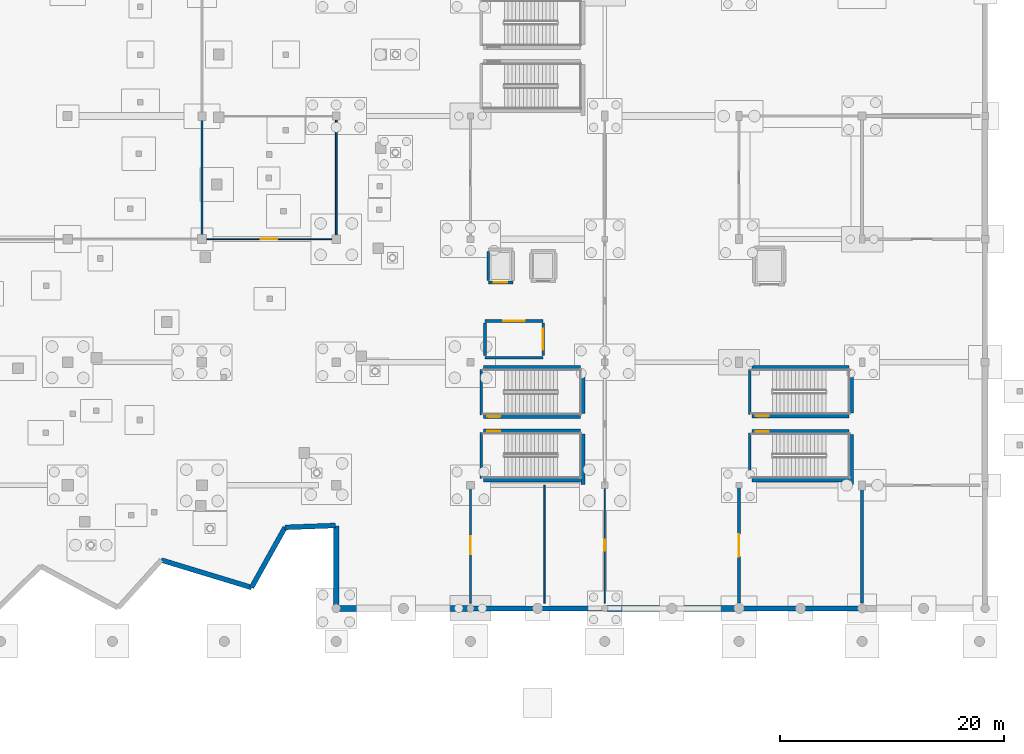
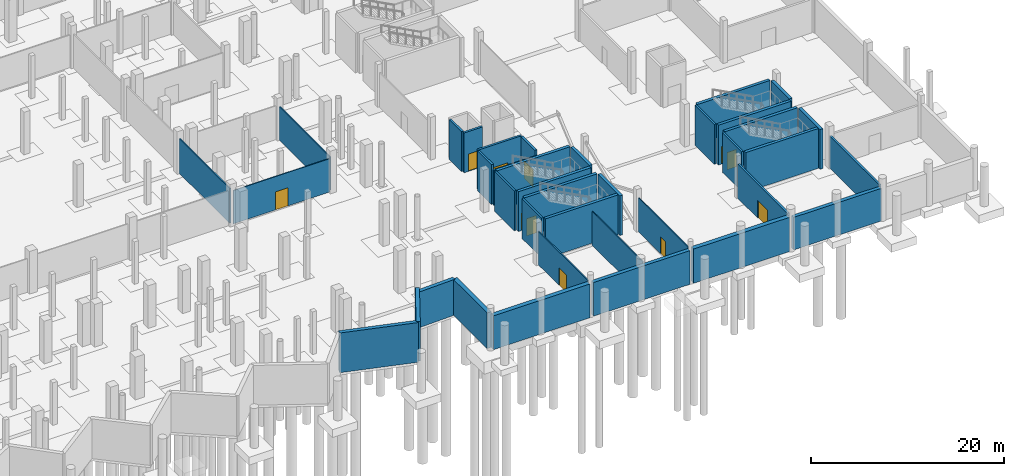
# One storey, part 36 of 60: 38 walls, 11 doors, 11 openings.
"""IFC4 building model written with IfcOpenShell, lengths in metres."""

from ifc_helpers import new_model, si_unit, direction, frame, frame_2d, origin, place, context, subcontext, project, spatial, rectangle, extrude, material, layer, layer_set, type_object, element, fill, save


model = new_model("IFC4")

# Units and contexts
model_context = context("Model", 3, precision=1e-05, world=origin(), true_north=direction((0.0, 1.0)))
body_context = subcontext(model_context, "Body", "Model", "MODEL_VIEW")
ifc_project = project(units=[si_unit("LENGTHUNIT", "METRE"), si_unit("AREAUNIT", "SQUARE_METRE"), si_unit("VOLUMEUNIT", "CUBIC_METRE"), si_unit("PLANEANGLEUNIT", "RADIAN"), si_unit("MASSUNIT", "GRAM", prefix="KILO")], contexts=[model_context])

# Site, building, storey
site_placement = place(None, origin())
site = spatial("IfcSite", under=ifc_project, at=site_placement, CompositionType="ELEMENT")
building_placement = place(site_placement, origin())
building = spatial("IfcBuilding", under=site, at=building_placement, Name="Luwafu Chhajja Arena", CompositionType="ELEMENT")
storey_placement = place(building_placement, frame((0.0, 0.0, -5.39990234375)))
storey = spatial("IfcBuildingStorey", under=building, at=storey_placement, Name="B1", CompositionType="ELEMENT", Elevation=-5.39990234375)

# Wall, opening, door
ifc_material_1 = material(Name="Concrete blockwork masonry", Category="masonry")
ifc_layer_1 = layer(ifc_material_1, 0.239990234375, Name="Concrete blockwork masonry")
ifc_layer_set_1 = layer_set([ifc_layer_1], Name="Concrete blockwork masonry")
wall_type_1 = type_object("IfcWallType", Name="Compartment Masonry Partition 240", PredefinedType="PARTITIONING", material=ifc_layer_set_1)
wall_1_placement = place(storey_placement, frame((176.0, 0.47998046875, 0.0), z_axis=(0.0, 0.0, 1.0), x_axis=(0.0, 1.0, 0.0)))
wall_1 = element("IfcWall", 1, at=wall_1_placement, inside=storey, type_object=wall_type_1, Name="B1 Internal Partition 0083", PredefinedType="PARTITIONING", context=body_context, shape_type="SweptSolid", body=[
    extrude(rectangle(XDim=10.31005859375, YDim=0.239990234375, at=frame_2d((5.155029296875, 0.0))), origin(), (0.0, 0.0, 1.0), 4.329833984375),
])
opening_1_placement = place(wall_1_placement, frame((4.155029296875, 0.0, 0.0)))
opening_1 = element("IfcOpeningElement", 2, at=opening_1_placement, cuts=wall_1, Name="Opening DR-08", PredefinedType="OPENING", context=body_context, shape_type="SweptSolid", body=[
    extrude(rectangle(XDim=2.0, YDim=2.25, at=frame_2d((1.0, 1.125))), frame((0.0, 0.1298828125, 0.0), z_axis=(0.0, -1.0, 0.0), x_axis=(1.0, 0.0, 0.0)), (0.0, 0.0, 1.0), 0.260009765625),
])
ifc_material_2 = material(Name="Fire-rated hardwood double leaf", Category="wood")
door_type_1 = type_object("IfcDoorType", Name="DR-08", OperationType="DOUBLE_DOOR_SINGLE_SWING", PredefinedType="DOOR", material=ifc_material_2)
door_1_placement = place(opening_1_placement, origin())
door_1 = element("IfcDoor", 3, at=door_1_placement, inside=storey, type_object=door_type_1, Name="B1 Interior Door B1-D065", OperationType="DOUBLE_DOOR_SINGLE_SWING", OverallHeight=2.25, OverallWidth=2.0, PredefinedType="DOOR", context=body_context, shape_type="SweptSolid", body=[
    extrude(rectangle(XDim=2.0, YDim=2.25, at=frame_2d((1.0, 1.125))), frame((0.0, 0.02490234375, 0.0), z_axis=(0.0, -1.0, 0.0), x_axis=(1.0, 0.0, 0.0)), (0.0, 0.0, 1.0), 0.050048828125),
])
fill(opening_1, door_1)

# Walls
wall_2_placement = place(storey_placement, frame((187.0, 0.47998046875, 0.0), z_axis=(0.0, 0.0, 1.0), x_axis=(0.0, 1.0, 0.0)))
element("IfcWall", 4, at=wall_2_placement, inside=storey, type_object=wall_type_1, Name="B1 Internal Partition 0133", PredefinedType="PARTITIONING", context=body_context, shape_type="SweptSolid", body=[
    extrude(rectangle(XDim=10.300048828125, YDim=0.239990234375, at=frame_2d((5.14990234375, 0.0))), origin(), (0.0, 0.0, 1.0), 4.079833984375),
])
ifc_material_3 = material(Name="Lightweight blockwork partition", Category="masonry")
ifc_layer_2 = layer(ifc_material_3, 0.139892578125, Name="Lightweight blockwork partition")
ifc_layer_set_2 = layer_set([ifc_layer_2], Name="Lightweight blockwork partition")
wall_type_2 = type_object("IfcWallType", Name="Concourse Kiosk Partition 140", PredefinedType="PARTITIONING", material=ifc_layer_set_2)
wall_3_placement = place(storey_placement, frame((140.0, 33.219970703125, 0.0), z_axis=(0.0, 0.0, 1.0), x_axis=(0.0, 1.0, 0.0)))
element("IfcWall", 5, at=wall_3_placement, inside=storey, type_object=wall_type_2, Name="B1 Internal Partition 0064", PredefinedType="PARTITIONING", context=body_context, shape_type="SweptSolid", body=[
    extrude(rectangle(XDim=10.56005859375, YDim=0.139892578125, at=frame_2d((5.280029296875, 0.0))), origin(), (0.0, 0.0, 1.0), 4.22998046875),
])

# Wall, opening, door
wall_4_placement = place(storey_placement, frame((152.0, 0.47998046875, 0.0), z_axis=(0.0, 0.0, 1.0), x_axis=(0.0, 1.0, 0.0)))
wall_4 = element("IfcWall", 6, at=wall_4_placement, inside=storey, type_object=wall_type_2, Name="B1 Internal Partition 0074", PredefinedType="PARTITIONING", context=body_context, shape_type="SweptSolid", body=[
    extrude(rectangle(XDim=10.300048828125, YDim=0.139892578125, at=frame_2d((5.14990234375, 0.0))), origin(), (0.0, 0.0, 1.0), 4.22998046875),
])
opening_2_placement = place(wall_4_placement, frame((4.340087890625, 0.0, 0.0)))
opening_2 = element("IfcOpeningElement", 7, at=opening_2_placement, cuts=wall_4, Name="Opening DR-23", PredefinedType="OPENING", context=body_context, shape_type="SweptSolid", body=[
    extrude(rectangle(XDim=1.6201171875, YDim=2.25, at=frame_2d((0.81005859375, 1.125))), frame((0.0, 0.079833984375, 0.0), z_axis=(0.0, -1.0, 0.0), x_axis=(1.0, 0.0, 0.0)), (0.0, 0.0, 1.0), 0.159912109375),
])
ifc_material_4 = material(Name="Hardwood flush glazed double door", Category="wood")
door_type_2 = type_object("IfcDoorType", Name="DR-23", OperationType="DOUBLE_DOOR_SINGLE_SWING", PredefinedType="DOOR", material=ifc_material_4)
door_2_placement = place(opening_2_placement, origin())
door_2 = element("IfcDoor", 8, at=door_2_placement, inside=storey, type_object=door_type_2, Name="B1 Interior Door B1-D060", OperationType="DOUBLE_DOOR_SINGLE_SWING", OverallHeight=2.25, OverallWidth=1.6201171875, PredefinedType="DOOR", context=body_context, shape_type="SweptSolid", body=[
    extrude(rectangle(XDim=1.6201171875, YDim=2.25, at=frame_2d((0.81005859375, 1.125))), frame((0.0, 0.02490234375, 0.0), z_axis=(0.0, -1.0, 0.0), x_axis=(1.0, 0.0, 0.0)), (0.0, 0.0, 1.0), 0.050048828125),
])
fill(opening_2, door_2)

# Wall
wall_5_placement = place(storey_placement, frame((128.0, 33.219970703125, 0.0), z_axis=(0.0, 0.0, 1.0), x_axis=(0.0, 1.0, 0.0)))
element("IfcWall", 9, at=wall_5_placement, inside=storey, type_object=wall_type_2, Name="B1 Internal Partition 0100", PredefinedType="PARTITIONING", context=body_context, shape_type="SweptSolid", body=[
    extrude(rectangle(XDim=10.56005859375, YDim=0.139892578125, at=frame_2d((5.280029296875, 0.0))), origin(), (0.0, 0.0, 1.0), 4.40966796875),
])

# Wall, opening, door
ifc_material_5 = material(Name="Gypsum plasterboard partition")
ifc_layer_3 = layer(ifc_material_5, 0.10009765625, Name="Gypsum plasterboard partition")
ifc_layer_set_3 = layer_set([ifc_layer_3], Name="Gypsum plasterboard partition")
wall_type_3 = type_object("IfcWallType", Name="Drywall Lining Partition 100", PredefinedType="PARTITIONING", material=ifc_layer_set_3)
wall_6_placement = place(storey_placement, frame((128.219970703125, 33.0, 0.0), z_axis=(0.0, 0.0, 1.0), x_axis=(1.0, 0.0, 0.0)))
wall_6 = element("IfcWall", 10, at=wall_6_placement, inside=storey, type_object=wall_type_3, Name="B1 Internal Partition 0062", PredefinedType="PARTITIONING", context=body_context, shape_type="SweptSolid", body=[
    extrude(rectangle(XDim=11.56005859375, YDim=0.10009765625, at=frame_2d((5.780029296875, 0.0))), origin(), (0.0, 0.0, 1.0), 4.22998046875),
])
opening_3_placement = place(wall_6_placement, frame((5.030029296875, 0.0, 0.0)))
opening_3 = element("IfcOpeningElement", 11, at=opening_3_placement, cuts=wall_6, Name="Opening DR-30", PredefinedType="OPENING", context=body_context, shape_type="SweptSolid", body=[
    extrude(rectangle(XDim=1.5, YDim=2.300048828125, at=frame_2d((0.75, 1.14990234375))), frame((0.0, 0.06005859375, 0.0), z_axis=(0.0, -1.0, 0.0), x_axis=(1.0, 0.0, 0.0)), (0.0, 0.0, 1.0), 0.1201171875),
])
ifc_material_6 = material(Name="Anodised bronze glazed double door")
door_type_3 = type_object("IfcDoorType", Name="DR-30", OperationType="DOUBLE_DOOR_SINGLE_SWING", PredefinedType="DOOR", material=ifc_material_6)
door_3_placement = place(opening_3_placement, origin())
door_3 = element("IfcDoor", 12, at=door_3_placement, inside=storey, type_object=door_type_3, Name="B1 Interior Door B1-D055", OperationType="DOUBLE_DOOR_SINGLE_SWING", OverallHeight=2.300048828125, OverallWidth=1.5, PredefinedType="DOOR", context=body_context, shape_type="SweptSolid", body=[
    extrude(rectangle(XDim=1.5, YDim=2.300048828125, at=frame_2d((0.75, 1.14990234375))), frame((0.0, 0.02490234375, 0.0), z_axis=(0.0, -1.0, 0.0), x_axis=(1.0, 0.0, 0.0)), (0.0, 0.0, 1.0), 0.050048828125),
])
fill(opening_3, door_3)

ifc_material_7 = material(Name="Concrete C40/50", Category="concrete")
ifc_layer_4 = layer(ifc_material_7, 0.260009765625, Name="Concrete C40/50")
ifc_layer_set_4 = layer_set([ifc_layer_4], Name="Concrete C40/50")
wall_type_4 = type_object("IfcWallType", Name="Firefighting Lobby Wall 260", PredefinedType="SOLIDWALL", material=ifc_layer_set_4)
wall_7_placement = place(storey_placement, frame((153.300048828125, 25.699951171875, 0.0), z_axis=(0.0, 0.0, 1.0), x_axis=(1.0, 0.0, 0.0)))
wall_7 = element("IfcWall", 13, at=wall_7_placement, inside=storey, type_object=wall_type_4, Name="B1 Core C2 Firefighting Lobby Wall N", PredefinedType="SOLIDWALL", context=body_context, shape_type="SweptSolid", body=[
    extrude(rectangle(XDim=5.199951171875, YDim=0.260009765625, at=frame_2d((2.60009765625, 0.0))), origin(), (0.0, 0.0, 1.0), 5.039794921875),
])
opening_4_placement = place(wall_7_placement, frame((1.64990234375, 0.0, 0.0)))
opening_4 = element("IfcOpeningElement", 14, at=opening_4_placement, cuts=wall_7, Name="Opening DR-07", PredefinedType="OPENING", context=body_context, shape_type="SweptSolid", body=[
    extrude(rectangle(XDim=1.89990234375, YDim=2.199951171875, at=frame_2d((0.949951171875, 1.10009765625))), frame((0.0, 0.139892578125, 0.0), z_axis=(0.0, -1.0, 0.0), x_axis=(1.0, 0.0, 0.0)), (0.0, 0.0, 1.0), 0.280029296875),
])
ifc_material_8 = material(Name="Fire-rated hardwood and vision panel", Category="wood")
door_type_4 = type_object("IfcDoorType", Name="DR-07", OperationType="DOUBLE_DOOR_SINGLE_SWING", PredefinedType="DOOR", material=ifc_material_8)
door_4_placement = place(opening_4_placement, origin())
door_4 = element("IfcDoor", 15, at=door_4_placement, inside=storey, type_object=door_type_4, Name="B1 Firefighting Lobby C2 Door B1-D007", OperationType="DOUBLE_DOOR_SINGLE_SWING", OverallHeight=2.199951171875, OverallWidth=1.89990234375, PredefinedType="DOOR", context=body_context, shape_type="SweptSolid", body=[
    extrude(rectangle(XDim=1.89990234375, YDim=2.199951171875, at=frame_2d((0.949951171875, 1.10009765625))), frame((0.0, 0.02490234375, 0.0), z_axis=(0.0, -1.0, 0.0), x_axis=(1.0, 0.0, 0.0)), (0.0, 0.0, 1.0), 0.050048828125),
])
fill(opening_4, door_4)

# Walls
wall_8_placement = place(storey_placement, frame((153.300048828125, 22.39990234375, 0.0), z_axis=(0.0, 0.0, 1.0), x_axis=(1.0, 0.0, 0.0)))
element("IfcWall", 16, at=wall_8_placement, inside=storey, type_object=wall_type_4, Name="B1 Core C2 Firefighting Lobby Wall S", PredefinedType="SOLIDWALL", context=body_context, shape_type="SweptSolid", body=[
    extrude(rectangle(XDim=5.199951171875, YDim=0.260009765625, at=frame_2d((2.60009765625, 0.0))), origin(), (0.0, 0.0, 1.0), 4.429931640625),
])
wall_9_placement = place(storey_placement, frame((153.300048828125, 22.60009765625, 0.0), z_axis=(0.0, 0.0, 1.0), x_axis=(0.0, 1.0, 0.0)))
element("IfcWall", 17, at=wall_9_placement, inside=storey, type_object=wall_type_4, Name="B1 Core C2 Firefighting Lobby Wall W", PredefinedType="SOLIDWALL", context=body_context, shape_type="SweptSolid", body=[
    extrude(rectangle(XDim=2.89990234375, YDim=0.260009765625, at=frame_2d((1.449951171875, 0.0))), origin(), (0.0, 0.0, 1.0), 5.039794921875),
])

# Wall, opening, door
wall_10_placement = place(storey_placement, frame((158.5, 22.60009765625, 0.0), z_axis=(0.0, 0.0, 1.0), x_axis=(0.0, 1.0, 0.0)))
wall_10 = element("IfcWall", 18, at=wall_10_placement, inside=storey, type_object=wall_type_4, Name="B1 Core C2 Firefighting Lobby Wall E", PredefinedType="SOLIDWALL", context=body_context, shape_type="SweptSolid", body=[
    extrude(rectangle(XDim=2.89990234375, YDim=0.260009765625, at=frame_2d((1.449951171875, 0.0))), origin(), (0.0, 0.0, 1.0), 5.039794921875),
])
opening_5_placement = place(wall_10_placement, frame((0.5, 0.0, 0.0)))
opening_5 = element("IfcOpeningElement", 19, at=opening_5_placement, cuts=wall_10, Name="Opening DR-07", PredefinedType="OPENING", context=body_context, shape_type="SweptSolid", body=[
    extrude(rectangle(XDim=1.89990234375, YDim=2.199951171875, at=frame_2d((0.949951171875, 1.10009765625))), frame((0.0, 0.139892578125, 0.0), z_axis=(0.0, -1.0, 0.0), x_axis=(1.0, 0.0, 0.0)), (0.0, 0.0, 1.0), 0.280029296875),
])
door_5_placement = place(opening_5_placement, origin())
door_5 = element("IfcDoor", 20, at=door_5_placement, inside=storey, type_object=door_type_4, Name="B1 Firefighting Lobby C2 Door B1-D008", OperationType="DOUBLE_DOOR_SINGLE_SWING", OverallHeight=2.199951171875, OverallWidth=1.89990234375, PredefinedType="DOOR", context=body_context, shape_type="SweptSolid", body=[
    extrude(rectangle(XDim=1.89990234375, YDim=2.199951171875, at=frame_2d((0.949951171875, 1.10009765625))), frame((0.0, 0.02490234375, 0.0), z_axis=(0.0, -1.0, 0.0), x_axis=(1.0, 0.0, 0.0)), (0.0, 0.0, 1.0), 0.050048828125),
])
fill(opening_5, door_5)

ifc_material_9 = material(Name="Acoustic metal-stud gypsum board")
ifc_layer_5 = layer(ifc_material_9, 0.1201171875, Name="Acoustic metal-stud gypsum board")
ifc_layer_set_5 = layer_set([ifc_layer_5], Name="Acoustic metal-stud gypsum board")
wall_type_5 = type_object("IfcWallType", Name="Internal Room Partition 120", PredefinedType="PARTITIONING", material=ifc_layer_set_5)
wall_11_placement = place(storey_placement, frame((164.0, 0.47998046875, 0.0), z_axis=(0.0, 0.0, 1.0), x_axis=(0.0, 1.0, 0.0)))
wall_11 = element("IfcWall", 21, at=wall_11_placement, inside=storey, type_object=wall_type_5, Name="B1 Internal Partition 0078", PredefinedType="PARTITIONING", context=body_context, shape_type="SweptSolid", body=[
    extrude(rectangle(XDim=10.300048828125, YDim=0.1201171875, at=frame_2d((5.14990234375, 0.0))), origin(), (0.0, 0.0, 1.0), 4.27978515625),
])
opening_6_placement = place(wall_11_placement, frame((4.659912109375, 0.0, 0.0)))
opening_6 = element("IfcOpeningElement", 22, at=opening_6_placement, cuts=wall_11, Name="Opening DR-27", PredefinedType="OPENING", context=body_context, shape_type="SweptSolid", body=[
    extrude(rectangle(XDim=0.97998046875, YDim=2.10009765625, at=frame_2d((0.489990234375, 1.050048828125))), frame((0.0, 0.070068359375, 0.0), z_axis=(0.0, -1.0, 0.0), x_axis=(1.0, 0.0, 0.0)), (0.0, 0.0, 1.0), 0.14013671875),
])
ifc_material_10 = material(Name="Moisture-resistant laminate leaf")
door_type_5 = type_object("IfcDoorType", Name="DR-27", OperationType="NOTDEFINED", PredefinedType="DOOR", material=ifc_material_10)
door_6_placement = place(opening_6_placement, origin())
door_6 = element("IfcDoor", 23, at=door_6_placement, inside=storey, type_object=door_type_5, Name="B1 Interior Door B1-D064", OperationType="SINGLE_SWING_RIGHT", OverallHeight=2.10009765625, OverallWidth=0.97998046875, PredefinedType="DOOR", context=body_context, shape_type="SweptSolid", body=[
    extrude(rectangle(XDim=0.97998046875, YDim=2.10009765625, at=frame_2d((0.489990234375, 1.050048828125))), frame((0.0, 0.02490234375, 0.0), z_axis=(0.0, -1.0, 0.0), x_axis=(1.0, 0.0, 0.0)), (0.0, 0.0, 1.0), 0.050048828125),
])
fill(opening_6, door_6)

# Wall
wall_12_placement = place(storey_placement, frame((158.60009765625, 0.47998046875, 0.0), z_axis=(0.0, 0.0, 1.0), x_axis=(0.0, 1.0, 0.0)))
element("IfcWall", 24, at=wall_12_placement, inside=storey, type_object=wall_type_5, Name="B1 Internal Partition 0131", PredefinedType="PARTITIONING", context=body_context, shape_type="SweptSolid", body=[
    extrude(rectangle(XDim=10.52001953125, YDim=0.1201171875, at=frame_2d((5.260009765625, 0.0))), origin(), (0.0, 0.0, 1.0), 4.27978515625),
])

# Wall, opening, door
ifc_material_11 = material(Name="Concrete C35/45", Category="concrete")
ifc_layer_6 = layer(ifc_material_11, 0.260009765625, Name="Concrete C35/45")
ifc_layer_set_6 = layer_set([ifc_layer_6], Name="Concrete C35/45")
wall_type_6 = type_object("IfcWallType", Name="Lift and Riser Shaft Wall 260", PredefinedType="SOLIDWALL", material=ifc_layer_set_6)
wall_13_placement = place(storey_placement, frame((153.590087890625, 29.114990234375, 0.0), z_axis=(0.0, 0.0, 1.0), x_axis=(1.0, 0.0, 0.0)))
wall_13 = element("IfcWall", 25, at=wall_13_placement, inside=storey, type_object=wall_type_6, Name="B1 Lift LF-02 Shaft Wall S", PredefinedType="SOLIDWALL", context=body_context, shape_type="SweptSolid", body=[
    extrude(rectangle(XDim=2.219970703125, YDim=0.260009765625, at=frame_2d((1.10986328125, 0.0))), origin(), (0.0, 0.0, 1.0), 5.039794921875),
])
opening_7_placement = place(wall_13_placement, frame((0.510009765625, 0.0, 0.0)))
opening_7 = element("IfcOpeningElement", 26, at=opening_7_placement, cuts=wall_13, Name="Opening LD-02", PredefinedType="OPENING", context=body_context, shape_type="SweptSolid", body=[
    extrude(rectangle(XDim=1.199951171875, YDim=2.199951171875, at=frame_2d((0.60009765625, 1.10009765625))), frame((0.0, 0.139892578125, 0.0), z_axis=(0.0, -1.0, 0.0), x_axis=(1.0, 0.0, 0.0)), (0.0, 0.0, 1.0), 0.280029296875),
])
ifc_material_12 = material(Name="Brushed stainless steel sliding leaves", Category="steel")
door_type_6 = type_object("IfcDoorType", Name="LD-02", OperationType="SLIDING_TO_LEFT", PredefinedType="DOOR", material=ifc_material_12)
door_7_placement = place(opening_7_placement, origin())
door_7 = element("IfcDoor", 27, at=door_7_placement, inside=storey, type_object=door_type_6, Name="B1 Lift LF-02 Landing Door B1-LD03", OperationType="SLIDING_TO_LEFT", OverallHeight=2.199951171875, OverallWidth=1.199951171875, PredefinedType="DOOR", context=body_context, shape_type="SweptSolid", body=[
    extrude(rectangle(XDim=1.199951171875, YDim=2.199951171875, at=frame_2d((0.60009765625, 1.10009765625))), frame((0.0, 0.02490234375, 0.0), z_axis=(0.0, -1.0, 0.0), x_axis=(1.0, 0.0, 0.0)), (0.0, 0.0, 1.0), 0.050048828125),
])
fill(opening_7, door_7)

# Walls
wall_14_placement = place(storey_placement, frame((153.590087890625, 29.31494140625, 0.0), z_axis=(0.0, 0.0, 1.0), x_axis=(0.0, 1.0, 0.0)))
element("IfcWall", 28, at=wall_14_placement, inside=storey, type_object=wall_type_6, Name="B1 Lift LF-02 Shaft Wall W", PredefinedType="SOLIDWALL", context=body_context, shape_type="SweptSolid", body=[
    extrude(rectangle(XDim=2.570068359375, YDim=0.260009765625, at=frame_2d((1.28515625, 0.0))), origin(), (0.0, 0.0, 1.0), 5.039794921875),
])
ifc_layer_7 = layer(ifc_material_7, 0.43994140625, Name="Concrete C40/50")
ifc_layer_set_7 = layer_set([ifc_layer_7], Name="Concrete C40/50")
wall_type_7 = type_object("IfcWallType", Name="RC Basement Retaining Wall 440", PredefinedType="SOLIDWALL", material=ifc_layer_set_7)
wall_15_placement = place(storey_placement, frame((124.364013671875, 4.316162109375, 0.0), z_axis=(0.0, 0.0, 1.0), x_axis=(0.956738407321, -0.290949514446, 0.0)))
element("IfcWall", 29, at=wall_15_placement, inside=storey, type_object=wall_type_7, Name="B1 Pleated Bowl V-Fold Wall 54", PredefinedType="SOLIDWALL", context=body_context, shape_type="SweptSolid", body=[
    extrude(rectangle(XDim=8.427978515625, YDim=0.43994140625, at=frame_2d((4.2138671875, 0.0))), origin(), (0.0, 0.0, 1.0), 5.034912109375),
])
wall_16_placement = place(storey_placement, frame((132.427490234375, 1.864013671875, 0.0), z_axis=(0.0, 0.0, 1.0), x_axis=(0.487306352228, 0.87323108, 0.0)))
element("IfcWall", 30, at=wall_16_placement, inside=storey, type_object=wall_type_7, Name="B1 Pleated Bowl V-Fold Wall 55", PredefinedType="SOLIDWALL", context=body_context, shape_type="SweptSolid", body=[
    extrude(rectangle(XDim=6.15283203125, YDim=0.43994140625, at=frame_2d((3.076416015625, 0.0))), origin(), (0.0, 0.0, 1.0), 5.034912109375),
])
wall_17_placement = place(storey_placement, frame((135.42578125, 7.23681640625, 0.0), z_axis=(0.0, 0.0, 1.0), x_axis=(0.999296191983, 0.037511607381, 0.0)))
element("IfcWall", 31, at=wall_17_placement, inside=storey, type_object=wall_type_7, Name="B1 Pleated Bowl V-Fold Wall 56", PredefinedType="SOLIDWALL", context=body_context, shape_type="SweptSolid", body=[
    extrude(rectangle(XDim=4.497314453125, YDim=0.43994140625, at=frame_2d((2.24853515625, 0.0))), origin(), (0.0, 0.0, 1.0), 4.52978515625),
])
wall_18_placement = place(storey_placement, frame((152.219970703125, 0.0, 0.0), z_axis=(0.0, 0.0, 1.0), x_axis=(1.0, 0.0, 0.0)))
element("IfcWall", 32, at=wall_18_placement, inside=storey, type_object=wall_type_7, Name="B1 Exterior Wall WEX-B1-034", PredefinedType="SOLIDWALL", context=body_context, shape_type="SweptSolid", body=[
    extrude(rectangle(XDim=11.56005859375, YDim=0.43994140625, at=frame_2d((5.780029296875, 0.0))), origin(), (0.0, 0.0, 1.0), 4.27978515625),
])
wall_19_placement = place(storey_placement, frame((176.219970703125, 0.0, 0.0), z_axis=(0.0, 0.0, 1.0), x_axis=(1.0, 0.0, 0.0)))
element("IfcWall", 33, at=wall_19_placement, inside=storey, type_object=wall_type_7, Name="B1 Exterior Wall WEX-B1-038", PredefinedType="SOLIDWALL", context=body_context, shape_type="SweptSolid", body=[
    extrude(rectangle(XDim=10.56005859375, YDim=0.43994140625, at=frame_2d((5.280029296875, 0.0))), origin(), (0.0, 0.0, 1.0), 4.1298828125),
])
ifc_layer_8 = layer(ifc_material_7, 0.52001953125, Name="Concrete C40/50")
ifc_layer_set_8 = layer_set([ifc_layer_8], Name="Concrete C40/50")
wall_type_8 = type_object("IfcWallType", Name="RC Basement Retaining Wall 520", PredefinedType="SOLIDWALL", material=ifc_layer_set_8)
wall_20_placement = place(storey_placement, frame((140.219970703125, 0.0, 0.0), z_axis=(0.0, 0.0, 1.0), x_axis=(1.0, 0.0, 0.0)))
element("IfcWall", 34, at=wall_20_placement, inside=storey, type_object=wall_type_8, Name="B1 Exterior Wall WEX-B1-031", PredefinedType="SOLIDWALL", context=body_context, shape_type="SweptSolid", body=[
    extrude(rectangle(XDim=11.56005859375, YDim=0.52001953125, at=frame_2d((5.780029296875, 0.0))), origin(), (0.0, 0.0, 1.0), 4.27978515625),
])
wall_21_placement = place(storey_placement, frame((140.0, 0.219970703125, 0.0), z_axis=(0.0, 0.0, 1.0), x_axis=(0.0, 1.0, 0.0)))
element("IfcWall", 35, at=wall_21_placement, inside=storey, type_object=wall_type_8, Name="B1 Exterior Wall WEX-B1-032", PredefinedType="SOLIDWALL", context=body_context, shape_type="SweptSolid", body=[
    extrude(rectangle(XDim=7.12841796875, YDim=0.52001953125, at=frame_2d((3.564208984375, 0.0))), origin(), (0.0, 0.0, 1.0), 4.52978515625),
])
wall_22_placement = place(storey_placement, frame((164.219970703125, 0.0, 0.0), z_axis=(0.0, 0.0, 1.0), x_axis=(1.0, 0.0, 0.0)))
element("IfcWall", 36, at=wall_22_placement, inside=storey, type_object=wall_type_8, Name="B1 Exterior Wall WEX-B1-036", PredefinedType="SOLIDWALL", context=body_context, shape_type="SweptSolid", body=[
    extrude(rectangle(XDim=11.56005859375, YDim=0.52001953125, at=frame_2d((5.780029296875, 0.0))), origin(), (0.0, 0.0, 1.0), 4.346435546875),
])
ifc_layer_9 = layer(ifc_material_7, 0.35009765625, Name="Concrete C40/50")
ifc_layer_set_9 = layer_set([ifc_layer_9], Name="Concrete C40/50")
wall_type_9 = type_object("IfcWallType", Name="RC Core Shear Wall 350", PredefinedType="SOLIDWALL", material=ifc_layer_set_9)
wall_23_placement = place(storey_placement, frame((162.072021484375, 11.050048828125, 0.0), z_axis=(0.0, 0.0, 1.0), x_axis=(0.0, 1.0, 0.0)))
element("IfcWall", 37, at=wall_23_placement, inside=storey, type_object=wall_type_9, Name="B1 Stair ST-03 Core Shear Wall E", PredefinedType="SOLIDWALL", context=body_context, shape_type="SweptSolid", body=[
    extrude(rectangle(XDim=4.5400390625, YDim=0.35009765625, at=frame_2d((2.27001953125, 0.0))), origin(), (0.0, 0.0, 1.0), 5.039794921875),
])
wall_24_placement = place(storey_placement, frame((153.14990234375, 11.47802734375, 0.0), z_axis=(0.0, 0.0, 1.0), x_axis=(1.0, 0.0, 0.0)))
element("IfcWall", 38, at=wall_24_placement, inside=storey, type_object=wall_type_9, Name="B1 Stair ST-03 Core Shear Wall S", PredefinedType="SOLIDWALL", context=body_context, shape_type="SweptSolid", body=[
    extrude(rectangle(XDim=8.7001953125, YDim=0.35009765625, at=frame_2d((4.35009765625, 0.0))), origin(), (0.0, 0.0, 1.0), 5.039794921875),
])

# Wall, opening, door
wall_25_placement = place(storey_placement, frame((153.14990234375, 15.862060546875, 0.0), z_axis=(0.0, 0.0, 1.0), x_axis=(1.0, 0.0, 0.0)))
wall_25 = element("IfcWall", 39, at=wall_25_placement, inside=storey, type_object=wall_type_9, Name="B1 Stair ST-03 Core Shear Wall N", PredefinedType="SOLIDWALL", context=body_context, shape_type="SweptSolid", body=[
    extrude(rectangle(XDim=8.7001953125, YDim=0.35009765625, at=frame_2d((4.35009765625, 0.0))), origin(), (0.0, 0.0, 1.0), 5.039794921875),
])
opening_8_placement = place(wall_25_placement, frame((0.35009765625, 0.0, 0.0)))
opening_8 = element("IfcOpeningElement", 40, at=opening_8_placement, cuts=wall_25, Name="Opening DR-06", PredefinedType="OPENING", context=body_context, shape_type="SweptSolid", body=[
    extrude(rectangle(XDim=1.14990234375, YDim=2.199951171875, at=frame_2d((0.574951171875, 1.10009765625))), frame((0.0, 0.18505859375, 0.0), z_axis=(0.0, -1.0, 0.0), x_axis=(1.0, 0.0, 0.0)), (0.0, 0.0, 1.0), 0.3701171875),
])
ifc_material_13 = material(Name="Fire-rated hardwood and steel core", Category="steel")
door_type_7 = type_object("IfcDoorType", Name="DR-06", OperationType="NOTDEFINED", PredefinedType="DOOR", material=ifc_material_13)
door_8_placement = place(opening_8_placement, origin())
door_8 = element("IfcDoor", 41, at=door_8_placement, inside=storey, type_object=door_type_7, Name="B1 Escape Stair ST-03 Fire Door B1-D005", OperationType="SINGLE_SWING_RIGHT", OverallHeight=2.199951171875, OverallWidth=1.14990234375, PredefinedType="DOOR", context=body_context, shape_type="SweptSolid", body=[
    extrude(rectangle(XDim=1.14990234375, YDim=2.199951171875, at=frame_2d((0.574951171875, 1.10009765625))), frame((0.0, 0.02490234375, 0.0), z_axis=(0.0, -1.0, 0.0), x_axis=(1.0, 0.0, 0.0)), (0.0, 0.0, 1.0), 0.050048828125),
])
fill(opening_8, door_8)

# Wall
wall_26_placement = place(storey_placement, frame((162.072021484375, 17.409912109375, 0.0), z_axis=(0.0, 0.0, 1.0), x_axis=(0.0, 1.0, 0.0)))
element("IfcWall", 42, at=wall_26_placement, inside=storey, type_object=wall_type_9, Name="B1 Stair ST-04 Core Shear Wall E", PredefinedType="SOLIDWALL", context=body_context, shape_type="SweptSolid", body=[
    extrude(rectangle(XDim=3.840087890625, YDim=0.35009765625, at=frame_2d((1.919921875, 0.0))), origin(), (0.0, 0.0, 1.0), 5.039794921875),
])

# Wall, opening, door
wall_27_placement = place(storey_placement, frame((153.14990234375, 17.137939453125, 0.0), z_axis=(0.0, 0.0, 1.0), x_axis=(1.0, 0.0, 0.0)))
wall_27 = element("IfcWall", 43, at=wall_27_placement, inside=storey, type_object=wall_type_9, Name="B1 Stair ST-04 Core Shear Wall S", PredefinedType="SOLIDWALL", context=body_context, shape_type="SweptSolid", body=[
    extrude(rectangle(XDim=8.7001953125, YDim=0.35009765625, at=frame_2d((4.35009765625, 0.0))), origin(), (0.0, 0.0, 1.0), 5.039794921875),
])
opening_9_placement = place(wall_27_placement, frame((0.35009765625, 0.0, 0.0)))
opening_9 = element("IfcOpeningElement", 44, at=opening_9_placement, cuts=wall_27, Name="Opening DR-06", PredefinedType="OPENING", context=body_context, shape_type="SweptSolid", body=[
    extrude(rectangle(XDim=1.14990234375, YDim=2.199951171875, at=frame_2d((0.574951171875, 1.10009765625))), frame((0.0, 0.18505859375, 0.0), z_axis=(0.0, -1.0, 0.0), x_axis=(1.0, 0.0, 0.0)), (0.0, 0.0, 1.0), 0.3701171875),
])
door_9_placement = place(opening_9_placement, origin())
door_9 = element("IfcDoor", 45, at=door_9_placement, inside=storey, type_object=door_type_7, Name="B1 Escape Stair ST-04 Fire Door B1-D006", OperationType="SINGLE_SWING_LEFT", OverallHeight=2.199951171875, OverallWidth=1.14990234375, PredefinedType="DOOR", context=body_context, shape_type="SweptSolid", body=[
    extrude(rectangle(XDim=1.14990234375, YDim=2.199951171875, at=frame_2d((0.574951171875, 1.10009765625))), frame((0.0, 0.02490234375, 0.0), z_axis=(0.0, -1.0, 0.0), x_axis=(1.0, 0.0, 0.0)), (0.0, 0.0, 1.0), 0.050048828125),
])
fill(opening_9, door_9)

# Walls
wall_28_placement = place(storey_placement, frame((153.14990234375, 21.52197265625, 0.0), z_axis=(0.0, 0.0, 1.0), x_axis=(1.0, 0.0, 0.0)))
element("IfcWall", 46, at=wall_28_placement, inside=storey, type_object=wall_type_9, Name="B1 Stair ST-04 Core Shear Wall N", PredefinedType="SOLIDWALL", context=body_context, shape_type="SweptSolid", body=[
    extrude(rectangle(XDim=8.7001953125, YDim=0.35009765625, at=frame_2d((4.35009765625, 0.0))), origin(), (0.0, 0.0, 1.0), 5.039794921875),
])
wall_29_placement = place(storey_placement, frame((186.072021484375, 11.050048828125, 0.0), z_axis=(0.0, 0.0, 1.0), x_axis=(0.0, 1.0, 0.0)))
element("IfcWall", 47, at=wall_29_placement, inside=storey, type_object=wall_type_9, Name="B1 Stair ST-15 Core Shear Wall E", PredefinedType="SOLIDWALL", context=body_context, shape_type="SweptSolid", body=[
    extrude(rectangle(XDim=4.5, YDim=0.35009765625, at=frame_2d((2.25, 0.0))), origin(), (0.0, 0.0, 1.0), 5.039794921875),
])
wall_30_placement = place(storey_placement, frame((177.14990234375, 11.47802734375, 0.0), z_axis=(0.0, 0.0, 1.0), x_axis=(1.0, 0.0, 0.0)))
element("IfcWall", 48, at=wall_30_placement, inside=storey, type_object=wall_type_9, Name="B1 Stair ST-15 Core Shear Wall S", PredefinedType="SOLIDWALL", context=body_context, shape_type="SweptSolid", body=[
    extrude(rectangle(XDim=8.7001953125, YDim=0.35009765625, at=frame_2d((4.35009765625, 0.0))), origin(), (0.0, 0.0, 1.0), 5.039794921875),
])

# Wall, opening, door
wall_31_placement = place(storey_placement, frame((177.14990234375, 15.822021484375, 0.0), z_axis=(0.0, 0.0, 1.0), x_axis=(1.0, 0.0, 0.0)))
wall_31 = element("IfcWall", 49, at=wall_31_placement, inside=storey, type_object=wall_type_9, Name="B1 Stair ST-15 Core Shear Wall N", PredefinedType="SOLIDWALL", context=body_context, shape_type="SweptSolid", body=[
    extrude(rectangle(XDim=8.7001953125, YDim=0.35009765625, at=frame_2d((4.35009765625, 0.0))), origin(), (0.0, 0.0, 1.0), 5.039794921875),
])
opening_10_placement = place(wall_31_placement, frame((0.35009765625, 0.0, 0.0)))
opening_10 = element("IfcOpeningElement", 50, at=opening_10_placement, cuts=wall_31, Name="Opening DR-06", PredefinedType="OPENING", context=body_context, shape_type="SweptSolid", body=[
    extrude(rectangle(XDim=1.14990234375, YDim=2.199951171875, at=frame_2d((0.574951171875, 1.10009765625))), frame((0.0, 0.18505859375, 0.0), z_axis=(0.0, -1.0, 0.0), x_axis=(1.0, 0.0, 0.0)), (0.0, 0.0, 1.0), 0.3701171875),
])
door_10_placement = place(opening_10_placement, origin())
door_10 = element("IfcDoor", 51, at=door_10_placement, inside=storey, type_object=door_type_7, Name="B1 Escape Stair ST-15 Fire Door B1-D023", OperationType="SINGLE_SWING_RIGHT", OverallHeight=2.199951171875, OverallWidth=1.14990234375, PredefinedType="DOOR", context=body_context, shape_type="SweptSolid", body=[
    extrude(rectangle(XDim=1.14990234375, YDim=2.199951171875, at=frame_2d((0.574951171875, 1.10009765625))), frame((0.0, 0.02490234375, 0.0), z_axis=(0.0, -1.0, 0.0), x_axis=(1.0, 0.0, 0.0)), (0.0, 0.0, 1.0), 0.050048828125),
])
fill(opening_10, door_10)

# Wall
wall_32_placement = place(storey_placement, frame((186.072021484375, 17.449951171875, 0.0), z_axis=(0.0, 0.0, 1.0), x_axis=(0.0, 1.0, 0.0)))
element("IfcWall", 52, at=wall_32_placement, inside=storey, type_object=wall_type_9, Name="B1 Stair ST-16 Core Shear Wall E", PredefinedType="SOLIDWALL", context=body_context, shape_type="SweptSolid", body=[
    extrude(rectangle(XDim=3.800048828125, YDim=0.35009765625, at=frame_2d((1.89990234375, 0.0))), origin(), (0.0, 0.0, 1.0), 5.039794921875),
])

# Wall, opening, door
wall_33_placement = place(storey_placement, frame((177.14990234375, 17.177978515625, 0.0), z_axis=(0.0, 0.0, 1.0), x_axis=(1.0, 0.0, 0.0)))
wall_33 = element("IfcWall", 53, at=wall_33_placement, inside=storey, type_object=wall_type_9, Name="B1 Stair ST-16 Core Shear Wall S", PredefinedType="SOLIDWALL", context=body_context, shape_type="SweptSolid", body=[
    extrude(rectangle(XDim=8.7001953125, YDim=0.35009765625, at=frame_2d((4.35009765625, 0.0))), origin(), (0.0, 0.0, 1.0), 5.039794921875),
])
opening_11_placement = place(wall_33_placement, frame((0.35009765625, 0.0, 0.0)))
opening_11 = element("IfcOpeningElement", 54, at=opening_11_placement, cuts=wall_33, Name="Opening DR-06", PredefinedType="OPENING", context=body_context, shape_type="SweptSolid", body=[
    extrude(rectangle(XDim=1.14990234375, YDim=2.199951171875, at=frame_2d((0.574951171875, 1.10009765625))), frame((0.0, 0.18505859375, 0.0), z_axis=(0.0, -1.0, 0.0), x_axis=(1.0, 0.0, 0.0)), (0.0, 0.0, 1.0), 0.3701171875),
])
door_11_placement = place(opening_11_placement, origin())
door_11 = element("IfcDoor", 55, at=door_11_placement, inside=storey, type_object=door_type_7, Name="B1 Escape Stair ST-16 Fire Door B1-D024", OperationType="SINGLE_SWING_LEFT", OverallHeight=2.199951171875, OverallWidth=1.14990234375, PredefinedType="DOOR", context=body_context, shape_type="SweptSolid", body=[
    extrude(rectangle(XDim=1.14990234375, YDim=2.199951171875, at=frame_2d((0.574951171875, 1.10009765625))), frame((0.0, 0.02490234375, 0.0), z_axis=(0.0, -1.0, 0.0), x_axis=(1.0, 0.0, 0.0)), (0.0, 0.0, 1.0), 0.050048828125),
])
fill(opening_11, door_11)

# Walls
wall_34_placement = place(storey_placement, frame((177.14990234375, 21.52197265625, 0.0), z_axis=(0.0, 0.0, 1.0), x_axis=(1.0, 0.0, 0.0)))
element("IfcWall", 56, at=wall_34_placement, inside=storey, type_object=wall_type_9, Name="B1 Stair ST-16 Core Shear Wall N", PredefinedType="SOLIDWALL", context=body_context, shape_type="SweptSolid", body=[
    extrude(rectangle(XDim=8.7001953125, YDim=0.35009765625, at=frame_2d((4.35009765625, 0.0))), origin(), (0.0, 0.0, 1.0), 5.039794921875),
])
ifc_layer_10 = layer(ifc_material_11, 0.22998046875, Name="Concrete C35/45")
ifc_layer_set_10 = layer_set([ifc_layer_10], Name="Concrete C35/45")
wall_type_10 = type_object("IfcWallType", Name="Stair Enclosure Wall 230", PredefinedType="SOLIDWALL", material=ifc_layer_set_10)
for number, where, z_axis, x_axis, name in (
    (57, (152.9599609375, 11.6298828125, 0.0), (0.0, 0.0, 1.0), (0.0, 1.0, 0.0), "B1 Stair ST-03 Enclosure Wall W"),
    (58, (152.9599609375, 17.2900390625, 0.0), (0.0, 0.0, 1.0), (0.0, 1.0, 0.0), "B1 Stair ST-04 Enclosure Wall W"),
):
    element("IfcWall", number, at=place(storey_placement, frame(where, z_axis=z_axis, x_axis=x_axis)), inside=storey, type_object=wall_type_10, Name=name, PredefinedType="SOLIDWALL", context=body_context, shape_type="SweptSolid", body=[
        extrude(rectangle(XDim=4.080078125, YDim=0.22998046875, at=frame_2d((2.0400390625, 0.0))), origin(), (0.0, 0.0, 1.0), 5.039794921875),
    ])
for number, where, z_axis, x_axis, name in (
    (59, (176.9599609375, 11.6298828125, 0.0), (0.0, 0.0, 1.0), (0.0, 1.0, 0.0), "B1 Stair ST-15 Enclosure Wall W"),
    (60, (176.9599609375, 17.330078125, 0.0), (0.0, 0.0, 1.0), (0.0, 1.0, 0.0), "B1 Stair ST-16 Enclosure Wall W"),
):
    element("IfcWall", number, at=place(storey_placement, frame(where, z_axis=z_axis, x_axis=x_axis)), inside=storey, type_object=wall_type_10, Name=name, PredefinedType="SOLIDWALL", context=body_context, shape_type="SweptSolid", body=[
        extrude(rectangle(XDim=4.0400390625, YDim=0.22998046875, at=frame_2d((2.02001953125, 0.0))), origin(), (0.0, 0.0, 1.0), 5.039794921875),
    ])

save(model, "model.ifc")
